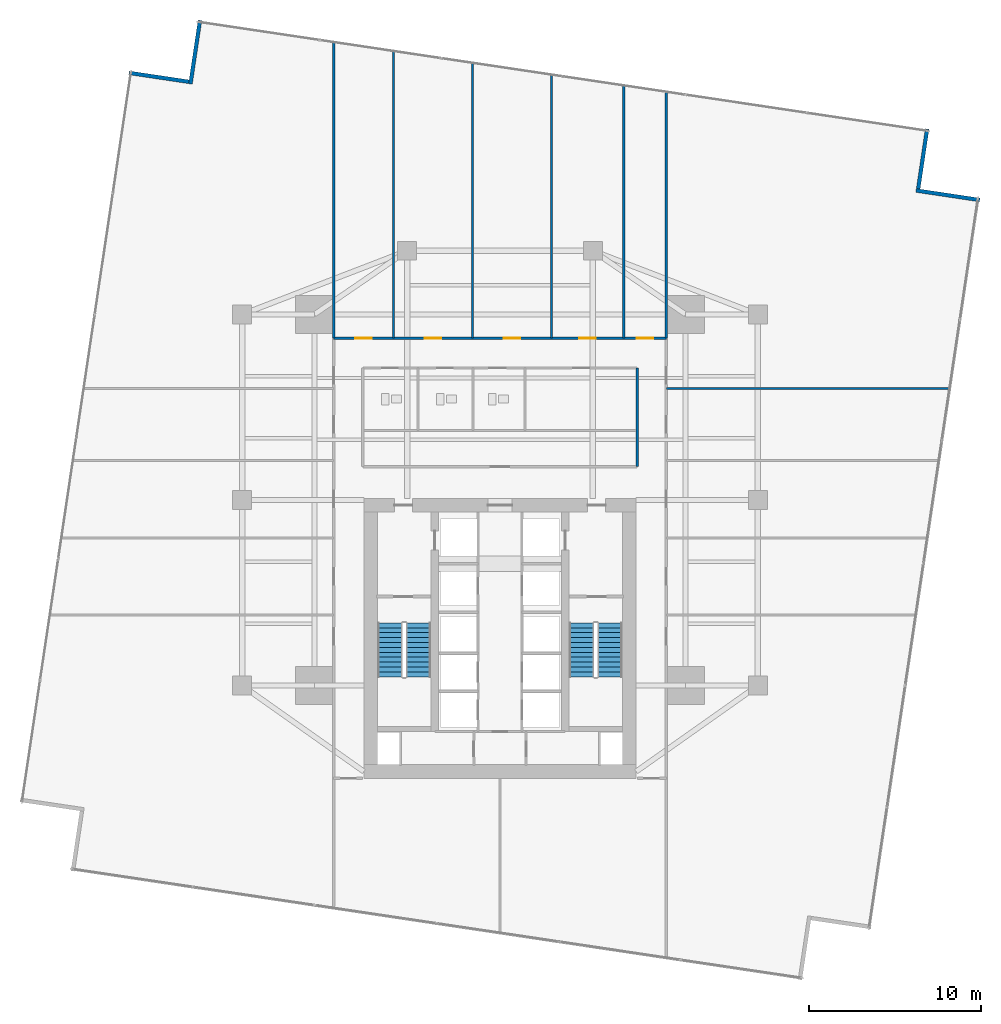
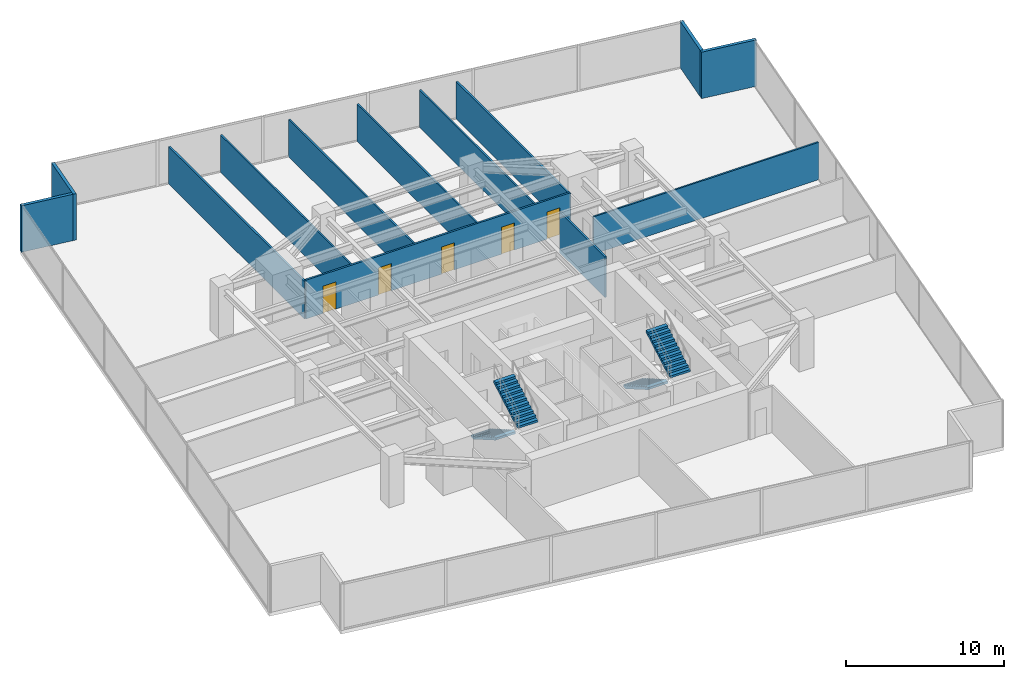
# One storey, part 27 of 29: 13 walls, 5 doors, 4 stair flights, 5 openings, 2 elements without a shape of their own.
"""IFC4 building model written with IfcOpenShell, lengths in metres."""

from ifc_helpers import new_model, si_unit, direction, frame, frame_2d, origin, place, context, subcontext, project, spatial, polyline, rectangle, outline, extrude, material, layer, layer_set, type_object, element, fill, aggregate, save


model = new_model("IFC4")

# Units and contexts
model_context = context("Model", 3, precision=1e-05, world=origin(), true_north=direction((0.0, 1.0)))
body_context = subcontext(model_context, "Body", "Model", "MODEL_VIEW")
ifc_project = project(units=[si_unit("LENGTHUNIT", "METRE"), si_unit("AREAUNIT", "SQUARE_METRE"), si_unit("VOLUMEUNIT", "CUBIC_METRE"), si_unit("PLANEANGLEUNIT", "RADIAN"), si_unit("MASSUNIT", "GRAM", prefix="KILO")], contexts=[model_context])

# Site, building, storey
site_placement = place(None, origin())
site = spatial("IfcSite", under=ifc_project, at=site_placement, CompositionType="ELEMENT")
building_placement = place(site_placement, origin())
building = spatial("IfcBuilding", under=site, at=building_placement, Name="Krantzveldt Concourse Tower", CompositionType="ELEMENT")
storey_placement = place(building_placement, frame((0.0, 0.0, 76.35009765625)))
storey = spatial("IfcBuildingStorey", under=building, at=storey_placement, Name="L18", CompositionType="ELEMENT", Elevation=76.35009765625)

# Walls
ifc_material_1 = material(Name="Anodised aluminium 6063-T6", Category="aluminium")
ifc_layer_1 = layer(ifc_material_1, 0.219970703125, Name="Anodised aluminium 6063-T6", Category="aluminium")
ifc_layer_set_1 = layer_set([ifc_layer_1], Name="Anodised aluminium 6063-T6 (WL-EXT-NOTCH220)")
wall_type_1 = type_object("IfcWallType", Name="WL-EXT-NOTCH220", PredefinedType="ELEMENTEDWALL", material=ifc_layer_set_1)
wall_1_placement = place(storey_placement, frame((17.897705078125, 51.032958984375, 0.0), z_axis=(0.0, 0.0, 1.0), x_axis=(-0.989015973204, 0.147808676155, 0.0)))
element("IfcWall", 1, at=wall_1_placement, inside=storey, type_object=wall_type_1, Name="EW-L18-NCH00", PredefinedType="ELEMENTEDWALL", context=body_context, shape_type="SweptSolid", body=[
    extrude(rectangle(XDim=3.52490234375, YDim=0.219970703125, at=frame_2d((1.762451171875, 0.0))), origin(), (0.0, 0.0, 1.0), 3.58984375),
])
wall_2_placement = place(storey_placement, frame((63.911865234375, 44.156005859375, 0.0), z_axis=(0.0, 0.0, 1.0), x_axis=(-0.989009392913, 0.147852699435, 0.0)))
element("IfcWall", 2, at=wall_2_placement, inside=storey, type_object=wall_type_1, Name="EW-L18-NCH08", PredefinedType="ELEMENTEDWALL", context=body_context, shape_type="SweptSolid", body=[
    extrude(rectangle(XDim=3.7451171875, YDim=0.219970703125, at=frame_2d((1.87255859375, 0.0))), origin(), (0.0, 0.0, 1.0), 3.58984375),
])
wall_3_placement = place(storey_placement, frame((60.3330078125, 44.80224609375, 0.0), z_axis=(0.0, 0.0, 1.0), x_axis=(0.147798551521, 0.98901748628, 0.0)))
element("IfcWall", 3, at=wall_3_placement, inside=storey, type_object=wall_type_1, Name="EW-L18-NCH09", PredefinedType="ELEMENTEDWALL", context=body_context, shape_type="SweptSolid", body=[
    extrude(rectangle(XDim=3.525146484375, YDim=0.219970703125, at=frame_2d((1.7626953125, 0.0))), origin(), (0.0, 0.0, 1.0), 3.58984375),
])
wall_4_placement = place(storey_placement, frame((18.5439453125, 54.61181640625, 0.0), z_axis=(0.0, 0.0, 1.0), x_axis=(-0.147852699435, -0.989009392913, 0.0)))
element("IfcWall", 4, at=wall_4_placement, inside=storey, type_object=wall_type_1, Name="EW-L18-NCH11", PredefinedType="ELEMENTEDWALL", context=body_context, shape_type="SweptSolid", body=[
    extrude(rectangle(XDim=3.7451171875, YDim=0.219970703125, at=frame_2d((1.87255859375, 0.0))), origin(), (0.0, 0.0, 1.0), 3.58984375),
])
ifc_material_2 = material(Name="Fire-rated gypsum plasterboard on steel stud", Category="steel")
ifc_layer_2 = layer(ifc_material_2, 0.1201171875, Name="Fire-rated gypsum plasterboard on steel stud", Category="steel")
ifc_layer_set_2 = layer_set([ifc_layer_2], Name="Fire-rated gypsum plasterboard on steel stud (WL-PART-120)")
wall_type_2 = type_object("IfcWallType", Name="WL-PART-120", PredefinedType="PARTITIONING", material=ifc_layer_set_2)
wall_5_placement = place(storey_placement, frame((29.800048828125, 36.1201171875, 0.0), z_axis=(0.0, 0.0, 1.0), x_axis=(0.0, 1.0, 0.0)))
element("IfcWall", 5, at=wall_5_placement, inside=storey, type_object=wall_type_2, Name="WP-L18-ND1", PredefinedType="PARTITIONING", context=body_context, shape_type="SweptSolid", body=[
    extrude(rectangle(XDim=16.693115234375, YDim=0.1201171875, at=frame_2d((8.3466796875, 0.0))), origin(), (0.0, 0.0, 1.0), 2.889892578125),
])
wall_6_placement = place(storey_placement, frame((34.39990234375, 36.1201171875, 0.0), z_axis=(0.0, 0.0, 1.0), x_axis=(0.0, 1.0, 0.0)))
element("IfcWall", 6, at=wall_6_placement, inside=storey, type_object=wall_type_2, Name="WP-L18-ND2", PredefinedType="PARTITIONING", context=body_context, shape_type="SweptSolid", body=[
    extrude(rectangle(XDim=16.005615234375, YDim=0.1201171875, at=frame_2d((8.0029296875, 0.0))), origin(), (0.0, 0.0, 1.0), 2.889892578125),
])
wall_7_placement = place(storey_placement, frame((39.0, 36.1201171875, 0.0), z_axis=(0.0, 0.0, 1.0), x_axis=(0.0, 1.0, 0.0)))
element("IfcWall", 7, at=wall_7_placement, inside=storey, type_object=wall_type_2, Name="WP-L18-ND3", PredefinedType="PARTITIONING", context=body_context, shape_type="SweptSolid", body=[
    extrude(rectangle(XDim=15.318115234375, YDim=0.1201171875, at=frame_2d((7.6591796875, 0.0))), origin(), (0.0, 0.0, 1.0), 2.889892578125),
])
wall_8_placement = place(storey_placement, frame((43.199951171875, 36.1201171875, 0.0), z_axis=(0.0, 0.0, 1.0), x_axis=(0.0, 1.0, 0.0)))
element("IfcWall", 8, at=wall_8_placement, inside=storey, type_object=wall_type_2, Name="WP-L18-ND4", PredefinedType="PARTITIONING", context=body_context, shape_type="SweptSolid", body=[
    extrude(rectangle(XDim=14.6904296875, YDim=0.1201171875, at=frame_2d((7.34521484375, 0.0))), origin(), (0.0, 0.0, 1.0), 2.889892578125),
])
wall_9_placement = place(storey_placement, frame((45.679931640625, 33.199951171875, 0.0), z_axis=(0.0, 0.0, 1.0), x_axis=(1.0, 0.0, 0.0)))
element("IfcWall", 9, at=wall_9_placement, inside=storey, type_object=wall_type_2, Name="WP-L18-ED4", PredefinedType="PARTITIONING", context=body_context, shape_type="SweptSolid", body=[
    extrude(rectangle(XDim=16.478271484375, YDim=0.1201171875, at=frame_2d((8.2392578125, 0.0))), origin(), (0.0, 0.0, 1.0), 2.889892578125),
])
ifc_layer_3 = layer(ifc_material_2, 0.139892578125, Name="Fire-rated gypsum plasterboard on steel stud", Category="steel")
ifc_layer_set_3 = layer_set([ifc_layer_3], Name="Fire-rated gypsum plasterboard on steel stud (WL-PART-140)")
wall_type_3 = type_object("IfcWallType", Name="WL-PART-140", PredefinedType="PARTITIONING", material=ifc_layer_set_3)
wall_10_placement = place(storey_placement, frame((43.97998046875, 28.639892578125, 0.0), z_axis=(0.0, 0.0, 1.0), x_axis=(0.0, 1.0, 0.0)))
element("IfcWall", 10, at=wall_10_placement, inside=storey, type_object=wall_type_3, Name="WP-L18-ISLE", PredefinedType="PARTITIONING", context=body_context, shape_type="SweptSolid", body=[
    extrude(rectangle(XDim=5.739990234375, YDim=0.139892578125, at=frame_2d((2.8701171875, 0.0))), origin(), (0.0, 0.0, 1.0), 3.139892578125),
])

# Wall, openings, doors
wall_11_placement = place(storey_placement, frame((26.320068359375, 36.1201171875, 0.0), z_axis=(0.0, 0.0, 1.0), x_axis=(1.0, 0.0, 0.0)))
wall_11 = element("IfcWall", 11, at=wall_11_placement, inside=storey, type_object=wall_type_3, Name="WP-L18-CTOP", PredefinedType="PARTITIONING", context=body_context, shape_type="SweptSolid", body=[
    extrude(rectangle(XDim=19.35986328125, YDim=0.139892578125, at=frame_2d((9.679931640625, 0.0))), origin(), (0.0, 0.0, 1.0), 3.0),
])
opening_1_placement = place(wall_11_placement, frame((1.264892578125, 0.0, 0.0)))
opening_1 = element("IfcOpeningElement", 12, at=opening_1_placement, cuts=wall_11, Name="Opening D-IN095", PredefinedType="OPENING", context=body_context, shape_type="SweptSolid", body=[
    extrude(rectangle(XDim=0.949951171875, YDim=2.10009765625, at=frame_2d((0.47509765625, 1.050048828125))), frame((0.0, 0.080078125, 0.0), z_axis=(0.0, -1.0, 0.0), x_axis=(1.0, 0.0, 0.0)), (0.0, 0.0, 1.0), 0.159912109375),
])
opening_2_placement = place(wall_11_placement, frame((5.304931640625, 0.0, 0.0)))
opening_2 = element("IfcOpeningElement", 13, at=opening_2_placement, cuts=wall_11, Name="Opening D-IN095", PredefinedType="OPENING", context=body_context, shape_type="SweptSolid", body=[
    extrude(rectangle(XDim=0.949951171875, YDim=2.10009765625, at=frame_2d((0.47509765625, 1.050048828125))), frame((0.0, 0.080078125, 0.0), z_axis=(0.0, -1.0, 0.0), x_axis=(1.0, 0.0, 0.0)), (0.0, 0.0, 1.0), 0.159912109375),
])
opening_3_placement = place(wall_11_placement, frame((9.905029296875, 0.0, 0.0)))
opening_3 = element("IfcOpeningElement", 14, at=opening_3_placement, cuts=wall_11, Name="Opening D-IN095", PredefinedType="OPENING", context=body_context, shape_type="SweptSolid", body=[
    extrude(rectangle(XDim=0.949951171875, YDim=2.10009765625, at=frame_2d((0.47509765625, 1.050048828125))), frame((0.0, 0.080078125, 0.0), z_axis=(0.0, -1.0, 0.0), x_axis=(1.0, 0.0, 0.0)), (0.0, 0.0, 1.0), 0.159912109375),
])
opening_4_placement = place(wall_11_placement, frame((14.304931640625, 0.0, 0.0)))
opening_4 = element("IfcOpeningElement", 15, at=opening_4_placement, cuts=wall_11, Name="Opening D-IN095", PredefinedType="OPENING", context=body_context, shape_type="SweptSolid", body=[
    extrude(rectangle(XDim=0.949951171875, YDim=2.10009765625, at=frame_2d((0.47509765625, 1.050048828125))), frame((0.0, 0.080078125, 0.0), z_axis=(0.0, -1.0, 0.0), x_axis=(1.0, 0.0, 0.0)), (0.0, 0.0, 1.0), 0.159912109375),
])
opening_5_placement = place(wall_11_placement, frame((17.64501953125, 0.0, 0.0)))
opening_5 = element("IfcOpeningElement", 16, at=opening_5_placement, cuts=wall_11, Name="Opening D-IN095", PredefinedType="OPENING", context=body_context, shape_type="SweptSolid", body=[
    extrude(rectangle(XDim=0.949951171875, YDim=2.10009765625, at=frame_2d((0.47509765625, 1.050048828125))), frame((0.0, 0.080078125, 0.0), z_axis=(0.0, -1.0, 0.0), x_axis=(1.0, 0.0, 0.0)), (0.0, 0.0, 1.0), 0.159912109375),
])
ifc_material_3 = material(Name="Hardwood timber", Category="wood")
door_type = type_object("IfcDoorType", Name="DR-INT-950", OperationType="SINGLE_SWING_LEFT", PredefinedType="DOOR", material=ifc_material_3)
door_1_placement = place(opening_1_placement, origin())
door_1 = element("IfcDoor", 17, at=door_1_placement, inside=storey, type_object=door_type, Name="DR-L18-NR1", OperationType="SINGLE_SWING_LEFT", OverallHeight=2.10009765625, OverallWidth=0.949951171875, PredefinedType="DOOR", context=body_context, shape_type="SweptSolid", body=[
    extrude(rectangle(XDim=0.949951171875, YDim=2.10009765625, at=frame_2d((0.47509765625, 1.050048828125))), frame((0.0, 0.02490234375, 0.0), z_axis=(0.0, -1.0, 0.0), x_axis=(1.0, 0.0, 0.0)), (0.0, 0.0, 1.0), 0.050048828125),
])
fill(opening_1, door_1)
door_2_placement = place(opening_2_placement, origin())
door_2 = element("IfcDoor", 18, at=door_2_placement, inside=storey, type_object=door_type, Name="DR-L18-NR2", OperationType="SINGLE_SWING_LEFT", OverallHeight=2.10009765625, OverallWidth=0.949951171875, PredefinedType="DOOR", context=body_context, shape_type="SweptSolid", body=[
    extrude(rectangle(XDim=0.949951171875, YDim=2.10009765625, at=frame_2d((0.47509765625, 1.050048828125))), frame((0.0, 0.02490234375, 0.0), z_axis=(0.0, -1.0, 0.0), x_axis=(1.0, 0.0, 0.0)), (0.0, 0.0, 1.0), 0.050048828125),
])
fill(opening_2, door_2)
door_3_placement = place(opening_3_placement, origin())
door_3 = element("IfcDoor", 19, at=door_3_placement, inside=storey, type_object=door_type, Name="DR-L18-NR3", OperationType="SINGLE_SWING_LEFT", OverallHeight=2.10009765625, OverallWidth=0.949951171875, PredefinedType="DOOR", context=body_context, shape_type="SweptSolid", body=[
    extrude(rectangle(XDim=0.949951171875, YDim=2.10009765625, at=frame_2d((0.47509765625, 1.050048828125))), frame((0.0, 0.02490234375, 0.0), z_axis=(0.0, -1.0, 0.0), x_axis=(1.0, 0.0, 0.0)), (0.0, 0.0, 1.0), 0.050048828125),
])
fill(opening_3, door_3)
door_4_placement = place(opening_4_placement, origin())
door_4 = element("IfcDoor", 20, at=door_4_placement, inside=storey, type_object=door_type, Name="DR-L18-NR4", OperationType="SINGLE_SWING_LEFT", OverallHeight=2.10009765625, OverallWidth=0.949951171875, PredefinedType="DOOR", context=body_context, shape_type="SweptSolid", body=[
    extrude(rectangle(XDim=0.949951171875, YDim=2.10009765625, at=frame_2d((0.47509765625, 1.050048828125))), frame((0.0, 0.02490234375, 0.0), z_axis=(0.0, -1.0, 0.0), x_axis=(1.0, 0.0, 0.0)), (0.0, 0.0, 1.0), 0.050048828125),
])
fill(opening_4, door_4)
door_5_placement = place(opening_5_placement, origin())
door_5 = element("IfcDoor", 21, at=door_5_placement, inside=storey, type_object=door_type, Name="DR-L18-NR5", OperationType="SINGLE_SWING_LEFT", OverallHeight=2.10009765625, OverallWidth=0.949951171875, PredefinedType="DOOR", context=body_context, shape_type="SweptSolid", body=[
    extrude(rectangle(XDim=0.949951171875, YDim=2.10009765625, at=frame_2d((0.47509765625, 1.050048828125))), frame((0.0, 0.02490234375, 0.0), z_axis=(0.0, -1.0, 0.0), x_axis=(1.0, 0.0, 0.0)), (0.0, 0.0, 1.0), 0.050048828125),
])
fill(opening_5, door_5)

# Walls
wall_12_placement = place(storey_placement, frame((26.320068359375, 36.1201171875, 0.0), z_axis=(0.0, 0.0, 1.0), x_axis=(0.0, 1.0, 0.0)))
element("IfcWall", 22, at=wall_12_placement, inside=storey, type_object=wall_type_3, Name="WP-L18-NWL", PredefinedType="PARTITIONING", context=body_context, shape_type="SweptSolid", body=[
    extrude(rectangle(XDim=17.213134765625, YDim=0.139892578125, at=frame_2d((8.6064453125, 0.0))), origin(), (0.0, 0.0, 1.0), 2.889892578125),
])
wall_13_placement = place(storey_placement, frame((45.679931640625, 36.1201171875, 0.0), z_axis=(0.0, 0.0, 1.0), x_axis=(0.0, 1.0, 0.0)))
element("IfcWall", 23, at=wall_13_placement, inside=storey, type_object=wall_type_3, Name="WP-L18-NER", PredefinedType="PARTITIONING", context=body_context, shape_type="SweptSolid", body=[
    extrude(rectangle(XDim=14.31982421875, YDim=0.139892578125, at=frame_2d((7.159912109375, 0.0))), origin(), (0.0, 0.0, 1.0), 2.889892578125),
])

# Stair, stair flights
ifc_material_4 = material(Name="Precast concrete C40/50", Category="concrete")
stair_type = type_object("IfcStairType", Name="STR-CORE-DOGLEG", PredefinedType="HALF_TURN_STAIR", material=ifc_material_4)
stair_1_placement = place(storey_placement, origin())
stair_1 = element("IfcStair", 24, at=stair_1_placement, inside=storey, type_object=stair_type, Name="L18 Protected Escape Stair ST-1", PredefinedType="HALF_TURN_STAIR")
stair_flight_type = type_object("IfcStairFlightType", Name="STF-CORE-1450", PredefinedType="STRAIGHT", material=ifc_material_4)
stair_flight_1_placement = place(storey_placement, frame((29.60498046875, 19.550048828125, 0.0), z_axis=(0.0, 0.0, 1.0), x_axis=(0.0, -1.0, 0.0)))
stair_flight_1 = element("IfcStairFlight", 25, at=stair_flight_1_placement, type_object=stair_flight_type, Name="ST-1 flight 1", NumberOfRisers=12, NumberOfTreads=11, PredefinedType="STRAIGHT", RiserHeight=0.164583333, TreadLength=0.285, context=body_context, shape_type="SweptSolid", body=[
    extrude(outline(polyline([(0.0, 0.0), (0.0, 0.16455078125), (0.284912109375, 0.16455078125), (0.284912109375, 0.3291015625), (0.570068359375, 0.3291015625), (0.570068359375, 0.49365234375), (0.85498046875, 0.49365234375), (0.85498046875, 0.658447265625), (1.139892578125, 0.658447265625), (1.139892578125, 0.822998046875), (1.425048828125, 0.822998046875), (1.425048828125, 0.987548828125), (1.7099609375, 0.987548828125), (1.7099609375, 1.152099609375), (1.9951171875, 1.152099609375), (1.9951171875, 1.316650390625), (2.280029296875, 1.316650390625), (2.280029296875, 1.481201171875), (2.56494140625, 1.481201171875), (2.56494140625, 1.645751953125), (2.85009765625, 1.645751953125), (2.85009765625, 1.810302734375), (3.135009765625, 1.810302734375), (3.135009765625, 1.97509765625), (3.135009765625, 1.63720703125), (0.2998046875, 0.0), (0.0, 0.0)])), frame((0.0, 0.72509765625, 0.0), z_axis=(0.0, -1.0, 0.0), x_axis=(1.0, 0.0, 0.0)), (0.0, 0.0, 1.0), 1.449951171875),
])
stair_flight_2_placement = place(storey_placement, frame((31.2548828125, 16.4150390625, 1.974853515625), z_axis=(0.0, 0.0, 1.0), x_axis=(0.0, 1.0, 0.0)))
stair_flight_2 = element("IfcStairFlight", 26, at=stair_flight_2_placement, type_object=stair_flight_type, Name="ST-1 flight 2", NumberOfRisers=12, NumberOfTreads=11, PredefinedType="STRAIGHT", RiserHeight=0.164583333, TreadLength=0.285, context=body_context, shape_type="SweptSolid", body=[
    extrude(outline(polyline([(0.0, 0.0), (0.0, 0.16455078125), (0.284912109375, 0.16455078125), (0.284912109375, 0.3291015625), (0.570068359375, 0.3291015625), (0.570068359375, 0.49365234375), (0.85498046875, 0.49365234375), (0.85498046875, 0.658447265625), (1.139892578125, 0.658447265625), (1.139892578125, 0.822998046875), (1.425048828125, 0.822998046875), (1.425048828125, 0.987548828125), (1.7099609375, 0.987548828125), (1.7099609375, 1.152099609375), (1.9951171875, 1.152099609375), (1.9951171875, 1.316650390625), (2.280029296875, 1.316650390625), (2.280029296875, 1.481201171875), (2.56494140625, 1.481201171875), (2.56494140625, 1.645751953125), (2.85009765625, 1.645751953125), (2.85009765625, 1.810302734375), (3.135009765625, 1.810302734375), (3.135009765625, 1.97509765625), (3.135009765625, 1.63720703125), (0.2998046875, 0.0), (0.0, 0.0)])), frame((0.0, 0.72509765625, 0.0), z_axis=(0.0, -1.0, 0.0), x_axis=(1.0, 0.0, 0.0)), (0.0, 0.0, 1.0), 1.449951171875),
])
aggregate(stair_1, [stair_flight_1, stair_flight_2])

stair_2_placement = place(storey_placement, origin())
stair_2 = element("IfcStair", 27, at=stair_2_placement, inside=storey, type_object=stair_type, Name="L18 Protected Escape Stair ST-2", PredefinedType="HALF_TURN_STAIR")
stair_flight_3_placement = place(storey_placement, frame((40.7451171875, 19.550048828125, 0.0), z_axis=(0.0, 0.0, 1.0), x_axis=(0.0, -1.0, 0.0)))
stair_flight_3 = element("IfcStairFlight", 28, at=stair_flight_3_placement, type_object=stair_flight_type, Name="ST-2 flight 1", NumberOfRisers=12, NumberOfTreads=11, PredefinedType="STRAIGHT", RiserHeight=0.164583333, TreadLength=0.285, context=body_context, shape_type="SweptSolid", body=[
    extrude(outline(polyline([(0.0, 0.0), (0.0, 0.16455078125), (0.284912109375, 0.16455078125), (0.284912109375, 0.3291015625), (0.570068359375, 0.3291015625), (0.570068359375, 0.49365234375), (0.85498046875, 0.49365234375), (0.85498046875, 0.658447265625), (1.139892578125, 0.658447265625), (1.139892578125, 0.822998046875), (1.425048828125, 0.822998046875), (1.425048828125, 0.987548828125), (1.7099609375, 0.987548828125), (1.7099609375, 1.152099609375), (1.9951171875, 1.152099609375), (1.9951171875, 1.316650390625), (2.280029296875, 1.316650390625), (2.280029296875, 1.481201171875), (2.56494140625, 1.481201171875), (2.56494140625, 1.645751953125), (2.85009765625, 1.645751953125), (2.85009765625, 1.810302734375), (3.135009765625, 1.810302734375), (3.135009765625, 1.97509765625), (3.135009765625, 1.63720703125), (0.2998046875, 0.0), (0.0, 0.0)])), frame((0.0, 0.72509765625, 0.0), z_axis=(0.0, -1.0, 0.0), x_axis=(1.0, 0.0, 0.0)), (0.0, 0.0, 1.0), 1.449951171875),
])
stair_flight_4_placement = place(storey_placement, frame((42.39501953125, 16.4150390625, 1.974853515625), z_axis=(0.0, 0.0, 1.0), x_axis=(0.0, 1.0, 0.0)))
stair_flight_4 = element("IfcStairFlight", 29, at=stair_flight_4_placement, type_object=stair_flight_type, Name="ST-2 flight 2", NumberOfRisers=12, NumberOfTreads=11, PredefinedType="STRAIGHT", RiserHeight=0.164583333, TreadLength=0.285, context=body_context, shape_type="SweptSolid", body=[
    extrude(outline(polyline([(0.0, 0.0), (0.0, 0.16455078125), (0.284912109375, 0.16455078125), (0.284912109375, 0.3291015625), (0.570068359375, 0.3291015625), (0.570068359375, 0.49365234375), (0.85498046875, 0.49365234375), (0.85498046875, 0.658447265625), (1.139892578125, 0.658447265625), (1.139892578125, 0.822998046875), (1.425048828125, 0.822998046875), (1.425048828125, 0.987548828125), (1.7099609375, 0.987548828125), (1.7099609375, 1.152099609375), (1.9951171875, 1.152099609375), (1.9951171875, 1.316650390625), (2.280029296875, 1.316650390625), (2.280029296875, 1.481201171875), (2.56494140625, 1.481201171875), (2.56494140625, 1.645751953125), (2.85009765625, 1.645751953125), (2.85009765625, 1.810302734375), (3.135009765625, 1.810302734375), (3.135009765625, 1.97509765625), (3.135009765625, 1.63720703125), (0.2998046875, 0.0), (0.0, 0.0)])), frame((0.0, 0.72509765625, 0.0), z_axis=(0.0, -1.0, 0.0), x_axis=(1.0, 0.0, 0.0)), (0.0, 0.0, 1.0), 1.449951171875),
])
aggregate(stair_2, [stair_flight_3, stair_flight_4])

save(model, "model.ifc")
